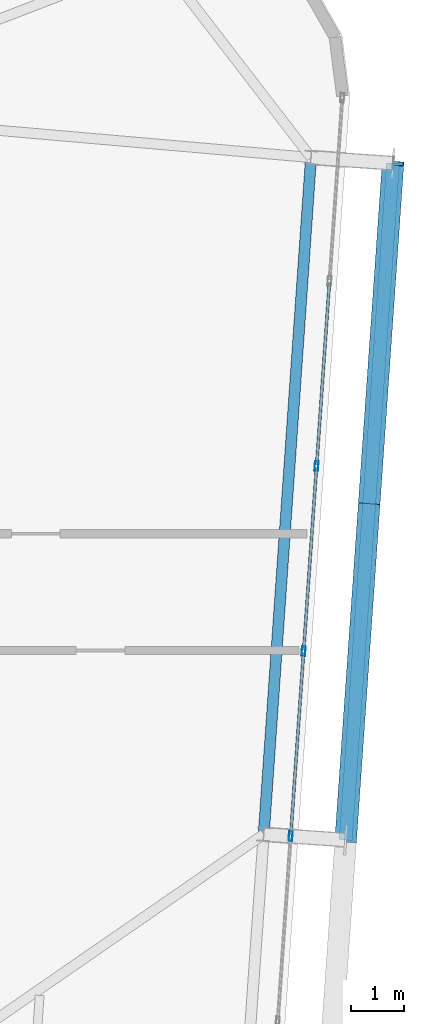
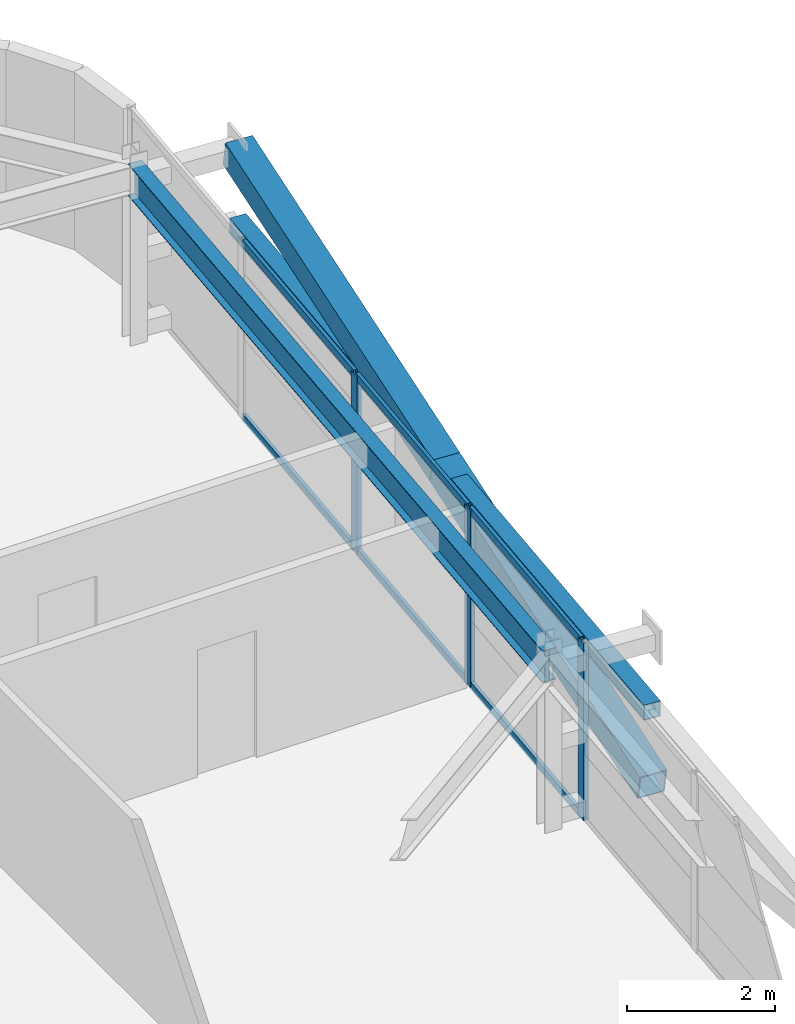
# One storey, part 24 of 47: 12 members, 1 beam, 1 element without a shape of its own.
"""IFC4 building model written with IfcOpenShell, lengths in metres."""

from ifc_helpers import new_model, si_unit, direction, frame, origin, origin_2d, place, context, subcontext, project, spatial, hollow_rectangle, i_section, extrude, source, transform, mapped, material, layer, layer_set, material_profile, profile_set, type_object, element, aggregate, save


model = new_model("IFC4")

# Units and contexts
model_context = context("Model", 3, precision=1e-05, world=origin(), true_north=direction((0.0, 1.0)))
body_context = subcontext(model_context, "Body", "Model", "MODEL_VIEW")
ifc_project = project(units=[si_unit("LENGTHUNIT", "METRE"), si_unit("AREAUNIT", "SQUARE_METRE"), si_unit("VOLUMEUNIT", "CUBIC_METRE"), si_unit("PLANEANGLEUNIT", "RADIAN"), si_unit("MASSUNIT", "GRAM", prefix="KILO")], contexts=[model_context])

# Site, building, storey
site_placement = place(None, origin())
site = spatial("IfcSite", under=ifc_project, at=site_placement, CompositionType="ELEMENT")
building_placement = place(site_placement, origin())
building = spatial("IfcBuilding", under=site, at=building_placement, Name="Taldren Reach Tower", CompositionType="ELEMENT")
storey_placement = place(building_placement, frame((0.0, 0.0, 142.449951171875)))
storey = spatial("IfcBuildingStorey", under=building, at=storey_placement, Name="L43", CompositionType="ELEMENT", Elevation=142.449951171875)

# Beam
ifc_material_1 = material(Name="Steel Gr 350 (350PLUS)", Category="steel")
ifc_material_profile_1 = material_profile(ifc_material_1, i_section(OverallWidth=0.208984375, OverallDepth=0.528076171875, WebThickness=0.009521484375, FlangeThickness=0.01318359375, at=origin_2d()), Name="530UB82.0")
ifc_profile_set_1 = profile_set([ifc_material_profile_1], Name="Steel Gr 350 (350PLUS)")
beam_type = type_object("IfcBeamType", Name="SP-UB530B", PredefinedType="SPANDREL", material=ifc_profile_set_1)
shared_shape_1 = source(origin(), body_context, "Body", "SweptSolid", [
    extrude(i_section(OverallWidth=0.208984375, OverallDepth=0.528076171875, WebThickness=0.009521484375, FlangeThickness=0.01318359375, at=origin_2d()), origin(), (0.0, 0.0, 1.0), 12.800048828125),
])
beam_placement = place(storey_placement, frame((60.438232421875, 18.331787109375, 2.666015625), z_axis=(0.069751876777, 0.9975643717, 0.0), x_axis=(-0.9975643717, 0.069751876777, 0.0)))
element("IfcBeam", 1, at=beam_placement, inside=storey, type_object=beam_type, Name="Perimeter spandrel B3 E2-E3 L43", PredefinedType="SPANDREL", context=body_context, shape_type="MappedRepresentation", body=[
    mapped(shared_shape_1, transform((0.0, 0.0, 0.0), scale=1.0)),
])

# Members
ifc_material_2 = material(Name="Steel Gr 350 (C350L0)", Category="steel")
ifc_material_profile_2 = material_profile(ifc_material_2, hollow_rectangle(XDim=0.25, YDim=0.25, WallThickness=0.010009765625, at=origin_2d()), Name="250x250x10.0SHS")
ifc_profile_set_2 = profile_set([ifc_material_profile_2], Name="Steel Gr 350 (C350L0)")
member_type_1 = type_object("IfcMemberType", Name="MB-POST250", PredefinedType="POST", material=ifc_profile_set_2)
shared_shape_2 = source(origin(), body_context, "Body", "SweptSolid", [
    extrude(hollow_rectangle(XDim=0.25, YDim=0.25, WallThickness=0.010009765625, at=origin_2d()), origin(), (0.0, 0.0, 1.0), 12.800048828125),
])
member_1_placement = place(storey_placement, frame((61.984375, 18.2236328125, 1.43505859375), z_axis=(0.069770857464, 0.997563044348, 0.0), x_axis=(-0.997563044348, 0.069770857464, 0.0)))
element("IfcMember", 2, at=member_1_placement, inside=storey, type_object=member_type_1, Name="Exoskeleton mid-height ring chord B3-E2 L43", PredefinedType="POST", context=body_context, shape_type="MappedRepresentation", body=[
    mapped(shared_shape_2, transform((0.0, 0.0, 0.0), scale=1.0)),
])
ifc_material_3 = material(Name="Steel Gr 450 (C450L0)", Category="steel")
ifc_material_profile_3 = material_profile(ifc_material_3, hollow_rectangle(XDim=0.409912109375, YDim=0.409912109375, WallThickness=0.01611328125, at=origin_2d()), Name="410x410x16.0SHS")
ifc_profile_set_3 = profile_set([ifc_material_profile_3], Name="Steel Gr 450 (C450L0)")
member_type_2 = type_object("IfcMemberType", Name="MB-EXO406", PredefinedType="BRACE", material=ifc_profile_set_3)
shared_shape_3 = source(origin(), body_context, "Body", "SweptSolid", [
    extrude(hollow_rectangle(XDim=0.409912109375, YDim=0.409912109375, WallThickness=0.01611328125, at=origin_2d()), origin(), (0.0, 0.0, 1.0), 6.514404296875),
])
member_2_placement = place(storey_placement, frame((62.430908203125, 24.60791015625, 1.43505859375), z_axis=(0.068545126831, 0.980056649402, 0.186522195865), x_axis=(-0.997563137195, 0.069769529958, 0.0)))
element("IfcMember", 3, at=member_2_placement, inside=storey, type_object=member_type_2, Name="Exoskeleton Diagrid Brace B3-E2 L43", PredefinedType="BRACE", context=body_context, shape_type="MappedRepresentation", body=[
    mapped(shared_shape_3, transform((0.0, 0.0, 0.0), scale=1.0)),
])
shared_shape_4 = source(origin(), body_context, "Body", "SweptSolid", [
    extrude(hollow_rectangle(XDim=0.409912109375, YDim=0.409912109375, WallThickness=0.01611328125, at=origin_2d()), origin(), (0.0, 0.0, 1.0), 6.51416015625),
])
member_3_placement = place(storey_placement, frame((61.984375, 18.2236328125, 0.219970703125), z_axis=(0.068547644544, 0.980055169399, 0.186529046964), x_axis=(-0.997562951496, 0.069772185021, 0.0)))
element("IfcMember", 4, at=member_3_placement, inside=storey, type_object=member_type_2, Name="Exoskeleton Diagrid Brace B3-E2 L43", PredefinedType="BRACE", context=body_context, shape_type="MappedRepresentation", body=[
    mapped(shared_shape_4, transform((0.0, 0.0, 0.0), scale=1.0)),
])

# Curtain wall, members
ifc_material_4 = material(Name="Aluminium and Low-E Glass Unitised System", Category="aluminium")
ifc_layer = layer(ifc_material_4, 0.159912109375)
ifc_layer_set = layer_set([ifc_layer], Name="Aluminium and Low-E Glass Unitised System")
curtain_wall_type = type_object("IfcCurtainWallType", Name="CW-SYS-4", PredefinedType="NOTDEFINED", material=ifc_layer_set)
curtain_wall_placement = place(storey_placement, origin())
curtain_wall = element("IfcCurtainWall", 5, at=curtain_wall_placement, inside=storey, type_object=curtain_wall_type, Name="Unitised curtain wall CW-L43-E", PredefinedType="NOTDEFINED")
ifc_material_5 = material(Name="Anodised Aluminium 6063-T6", Category="aluminium")
ifc_material_profile_4 = material_profile(ifc_material_5, hollow_rectangle(XDim=0.070068359375, YDim=0.179931640625, WallThickness=0.00390625, at=origin_2d()), Name="ALU-180x70x4RHS")
ifc_profile_set_4 = profile_set([ifc_material_profile_4], Name="Anodised Aluminium 6063-T6")
member_type_3 = type_object("IfcMemberType", Name="CW-MUL-180", PredefinedType="MULLION", material=ifc_profile_set_4)
shared_shape_5 = source(origin(), body_context, "Body", "SweptSolid", [
    extrude(hollow_rectangle(XDim=0.070068359375, YDim=0.179931640625, WallThickness=0.00390625, at=origin_2d()), origin(), (0.0, 0.0, 1.0), 2.929931640625),
])
member_4_placement = place(storey_placement, frame((60.947021484375, 18.296142578125, 0.0), z_axis=(0.0, 0.0, 1.0), x_axis=(-0.997564052812, 0.069756437251, 0.0)))
member_4 = element("IfcMember", 6, at=member_4_placement, type_object=member_type_3, Name="CW-4 mullion 5", PredefinedType="MULLION", context=body_context, shape_type="MappedRepresentation", body=[
    mapped(shared_shape_5, transform((0.0, 0.0, 0.0), scale=1.0)),
])
member_5_placement = place(storey_placement, frame((61.191162109375, 21.78759765625, 0.0), z_axis=(0.0, 0.0, 1.0), x_axis=(-0.997564052812, 0.069756437251, 0.0)))
member_5 = element("IfcMember", 7, at=member_5_placement, type_object=member_type_3, Name="CW-4 mullion 6", PredefinedType="MULLION", context=body_context, shape_type="MappedRepresentation", body=[
    mapped(shared_shape_5, transform((0.0, 0.0, 0.0), scale=1.0)),
])
member_6_placement = place(storey_placement, frame((61.435302734375, 25.279052734375, 0.0), z_axis=(0.0, 0.0, 1.0), x_axis=(-0.997564052812, 0.069756437251, 0.0)))
member_6 = element("IfcMember", 8, at=member_6_placement, type_object=member_type_3, Name="CW-4 mullion 7", PredefinedType="MULLION", context=body_context, shape_type="MappedRepresentation", body=[
    mapped(shared_shape_5, transform((0.0, 0.0, 0.0), scale=1.0)),
])
ifc_material_profile_5 = material_profile(ifc_material_5, hollow_rectangle(XDim=0.054931640625, YDim=0.1201171875, WallThickness=0.0029296875, at=origin_2d()), Name="ALU-120x55x3RHS")
ifc_profile_set_5 = profile_set([ifc_material_profile_5], Name="Anodised Aluminium 6063-T6")
member_type_4 = type_object("IfcMemberType", Name="CW-TRN-135", PredefinedType="USERDEFINED", material=ifc_profile_set_5)
shared_shape_6 = source(origin(), body_context, "Body", "SweptSolid", [
    extrude(hollow_rectangle(XDim=0.054931640625, YDim=0.1201171875, WallThickness=0.0029296875, at=origin_2d()), origin(), (0.0, 0.0, 1.0), 3.429931640625),
])
member_7_placement = place(storey_placement, frame((60.949462890625, 18.3310546875, 0.027587890625), z_axis=(0.069754754695, 0.997564170466, 0.0), x_axis=(-0.997564170466, 0.069754754695, 0.0)))
member_7 = element("IfcMember", 9, at=member_7_placement, type_object=member_type_4, Name="CW-4 transom 5.1", ObjectType="TRANSOM", PredefinedType="USERDEFINED", context=body_context, shape_type="MappedRepresentation", body=[
    mapped(shared_shape_6, transform((0.0, 0.0, 0.0), scale=1.0)),
])
member_8_placement = place(storey_placement, frame((60.949462890625, 18.3310546875, 2.902587890625), z_axis=(0.069754754695, 0.997564170466, 0.0), x_axis=(-0.997564170466, 0.069754754695, 0.0)))
member_8 = element("IfcMember", 10, at=member_8_placement, type_object=member_type_4, Name="CW-4 transom 5.2", ObjectType="TRANSOM", PredefinedType="USERDEFINED", context=body_context, shape_type="MappedRepresentation", body=[
    mapped(shared_shape_6, transform((0.0, 0.0, 0.0), scale=1.0)),
])
member_9_placement = place(storey_placement, frame((61.193603515625, 21.822509765625, 0.027587890625), z_axis=(0.069754754695, 0.997564170466, 0.0), x_axis=(-0.997564170466, 0.069754754695, 0.0)))
member_9 = element("IfcMember", 11, at=member_9_placement, type_object=member_type_4, Name="CW-4 transom 6.1", ObjectType="TRANSOM", PredefinedType="USERDEFINED", context=body_context, shape_type="MappedRepresentation", body=[
    mapped(shared_shape_6, transform((0.0, 0.0, 0.0), scale=1.0)),
])
member_10_placement = place(storey_placement, frame((61.193603515625, 21.822509765625, 2.902587890625), z_axis=(0.069754754695, 0.997564170466, 0.0), x_axis=(-0.997564170466, 0.069754754695, 0.0)))
member_10 = element("IfcMember", 12, at=member_10_placement, type_object=member_type_4, Name="CW-4 transom 6.2", ObjectType="TRANSOM", PredefinedType="USERDEFINED", context=body_context, shape_type="MappedRepresentation", body=[
    mapped(shared_shape_6, transform((0.0, 0.0, 0.0), scale=1.0)),
])
member_11_placement = place(storey_placement, frame((61.437744140625, 25.31396484375, 0.027587890625), z_axis=(0.069754754695, 0.997564170466, 0.0), x_axis=(-0.997564170466, 0.069754754695, 0.0)))
member_11 = element("IfcMember", 13, at=member_11_placement, type_object=member_type_4, Name="CW-4 transom 7.1", ObjectType="TRANSOM", PredefinedType="USERDEFINED", context=body_context, shape_type="MappedRepresentation", body=[
    mapped(shared_shape_6, transform((0.0, 0.0, 0.0), scale=1.0)),
])
member_12_placement = place(storey_placement, frame((61.437744140625, 25.31396484375, 2.902587890625), z_axis=(0.069754754695, 0.997564170466, 0.0), x_axis=(-0.997564170466, 0.069754754695, 0.0)))
member_12 = element("IfcMember", 14, at=member_12_placement, type_object=member_type_4, Name="CW-4 transom 7.2", ObjectType="TRANSOM", PredefinedType="USERDEFINED", context=body_context, shape_type="MappedRepresentation", body=[
    mapped(shared_shape_6, transform((0.0, 0.0, 0.0), scale=1.0)),
])
aggregate(curtain_wall, [member_4, member_5, member_6, member_7, member_8, member_9, member_10, member_11, member_12])

save(model, "model.ifc")
